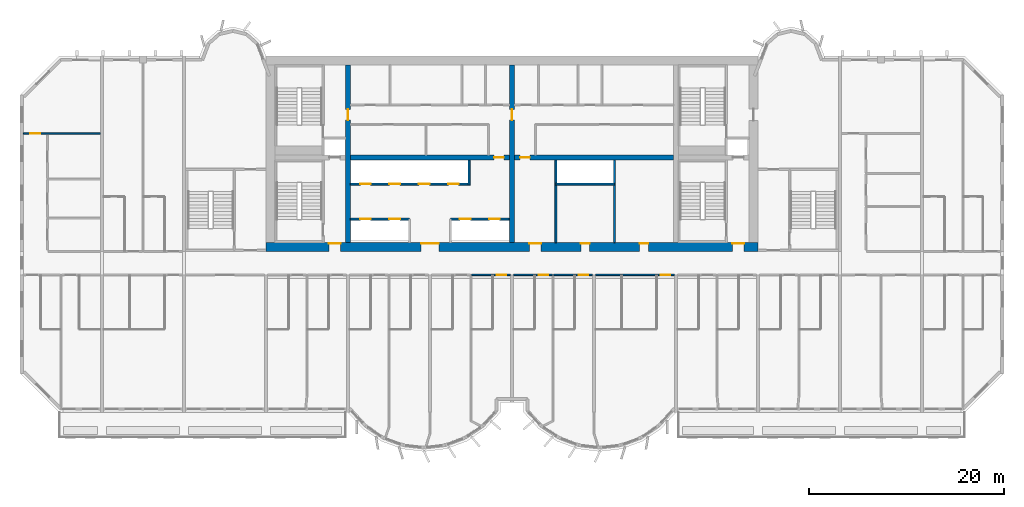
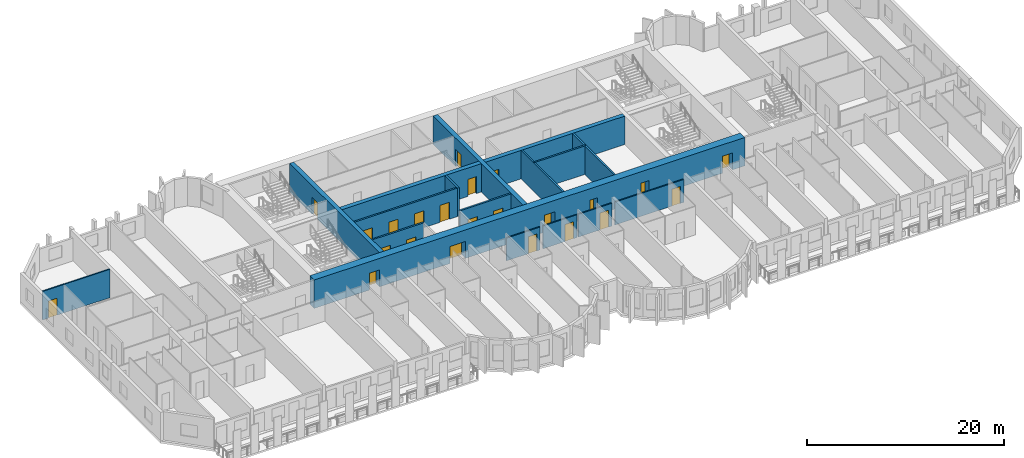
# One storey, part 6 of 14: 23 doors, 17 walls, 23 openings.
"""IFC4 building model written with IfcOpenShell, lengths in metres."""

import ifcopenshell
import ifcopenshell.guid

model = None  # the IFC model being written
_history = None  # IfcOwnerHistory: only IFC2X3 demands one
_inside = {}  # id of a spatial element -> (the spatial element, [elements in it])
_under = {}  # id of a project, library or spatial element -> (it, [spatial elements below it])
_declared = {}  # id of a project -> (the project, [libraries it declares])
_typed = {}  # id of a type object -> (the type object, [elements of that type])
_made_of = {}  # id of a material, layer set ... -> (it, [elements and type objects made of it])


def new_model(schema):
    """Start an empty IFC model of exactly this schema.

    Asked for "IFC4X3", IfcOpenShell would pick the latest addendum, in which some entities
    have other attributes; the version numbers below select the first issue.
    IFC2X3 requires an IfcOwnerHistory on every rooted entity: one is made here for all.
    """
    global model, _history
    if schema == "IFC4X3":
        model = ifcopenshell.file(schema_version=(4, 3, 0, 0))
    else:
        model = ifcopenshell.file(schema=schema)
    _inside.clear()
    _under.clear()
    _declared.clear()
    _typed.clear()
    _made_of.clear()
    _history = None
    if model.schema == "IFC2X3":
        org = make("IfcOrganization", Name="unknown")
        user = make(
            "IfcPersonAndOrganization",
            ThePerson=make("IfcPerson", FamilyName="unknown"),
            TheOrganization=org,
        )
        app = make(
            "IfcApplication",
            ApplicationDeveloper=org,
            Version="unknown",
            ApplicationFullName="unknown",
            ApplicationIdentifier="unknown",
        )
        _history = make(
            "IfcOwnerHistory",
            OwningUser=user,
            OwningApplication=app,
            ChangeAction="ADDED",
            CreationDate=0,
        )
    return model


def make(cls, **values):
    """One entity of the class cls with the attributes given. An attribute that is None is left unset."""
    return model.create_entity(
        cls, **{name: value for name, value in values.items() if value is not None}
    )


def rooted(cls, **values):
    """An entity with a GlobalId (a new one), such as an element, a storey or a relation."""
    return make(cls, GlobalId=ifcopenshell.guid.new(), OwnerHistory=_history, **values)


def si_unit(unit_type, name, prefix=None):
    """IfcSIUnit, for example si_unit("LENGTHUNIT", "METRE", prefix="MILLI")."""
    return make("IfcSIUnit", UnitType=unit_type, Prefix=prefix, Name=name)


def assignment(units):
    """IfcUnitAssignment: the units of a project."""
    return None if units is None else make("IfcUnitAssignment", Units=units)


def point(xyz):
    """IfcCartesianPoint."""
    return None if xyz is None else make("IfcCartesianPoint", Coordinates=xyz)


def direction(xyz):
    """IfcDirection."""
    return None if xyz is None else make("IfcDirection", DirectionRatios=xyz)


def frame(location, z_axis=None, x_axis=None):
    """IfcAxis2Placement3D, a coordinate frame: its origin and axes. An axis left out is left unset."""
    return make(
        "IfcAxis2Placement3D",
        Location=point(location),
        Axis=direction(z_axis),
        RefDirection=direction(x_axis),
    )


def frame_2d(location, x_axis=None):
    """IfcAxis2Placement2D, a coordinate frame in the plane: its origin and x axis."""
    return make(
        "IfcAxis2Placement2D", Location=point(location), RefDirection=direction(x_axis)
    )


def origin():
    """The frame at (0, 0, 0) with its axes left unset."""
    return frame((0.0, 0.0, 0.0))


def place(relative_to, where):
    """IfcLocalPlacement: puts the frame where relative to a parent placement (None: the world)."""
    return make(
        "IfcLocalPlacement", PlacementRelTo=relative_to, RelativePlacement=where
    )


def context(
    kind, dimensions, precision=None, world=None, true_north=None, identifier=None
):
    """IfcGeometricRepresentationContext, for example the 3D "Model" context."""
    return make(
        "IfcGeometricRepresentationContext",
        ContextIdentifier=identifier,
        ContextType=kind,
        CoordinateSpaceDimension=dimensions,
        Precision=precision,
        WorldCoordinateSystem=world,
        TrueNorth=true_north,
    )


def subcontext(parent, identifier, kind, view, scale=None):
    """IfcGeometricRepresentationSubContext, for example "Body" below "Model"."""
    return make(
        "IfcGeometricRepresentationSubContext",
        ContextIdentifier=identifier,
        ContextType=kind,
        ParentContext=parent,
        TargetScale=scale,
        TargetView=view,
    )


def project(units=None, contexts=None):
    """IfcProject with its units and contexts."""
    return rooted(
        "IfcProject",
        Name="project",
        RepresentationContexts=contexts,
        UnitsInContext=assignment(units),
    )


def spatial(cls, under=None, at=None, **own):
    """A site, building, storey or space (cls), placed at a placement, below another one or the project."""
    s = rooted(cls, ObjectPlacement=at, **own)
    if under is not None:
        _under.setdefault(under.id(), (under, []))[1].append(s)
    return s


def profile(cls, at=None, kind="AREA", **sizes):
    """A parametric profile (cls). Its sizes go by their IFC names, for example OverallWidth=200.0."""
    return make(cls, ProfileType=kind, Position=at, **sizes)


def rectangle(**sizes):
    """IfcRectangleProfileDef."""
    return profile("IfcRectangleProfileDef", **sizes)


def extrude(swept, where, along, depth):
    """IfcExtrudedAreaSolid: the profile swept, set in the frame where, extruded along a direction by depth."""
    return make(
        "IfcExtrudedAreaSolid",
        SweptArea=swept,
        Position=where,
        ExtrudedDirection=direction(along),
        Depth=depth,
    )


def shape(context_of_items, identifier, shape_type, items):
    """IfcShapeRepresentation: the items that make up one representation, for example the "Body"."""
    return make(
        "IfcShapeRepresentation",
        ContextOfItems=context_of_items,
        RepresentationIdentifier=identifier,
        RepresentationType=shape_type,
        Items=items,
    )


def source(mapping_origin, context_of_items, identifier, shape_type, items):
    """IfcRepresentationMap: a shape defined once, which mapped items show again and again."""
    return make(
        "IfcRepresentationMap",
        MappingOrigin=mapping_origin,
        MappedRepresentation=shape(context_of_items, identifier, shape_type, items),
    )


def transform(
    local_origin,
    x_axis=None,
    y_axis=None,
    z_axis=None,
    scale=None,
    scale2=None,
    scale3=None,
    uniform=True,
):
    """IfcCartesianTransformationOperator3D, or its non-uniform kind. x_axis, y_axis, z_axis: its Axis1, 2, 3."""
    if uniform:
        return make(
            "IfcCartesianTransformationOperator3D",
            Axis1=direction(x_axis),
            Axis2=direction(y_axis),
            LocalOrigin=point(local_origin),
            Scale=scale,
            Axis3=direction(z_axis),
        )
    return make(
        "IfcCartesianTransformationOperator3DnonUniform",
        Axis1=direction(x_axis),
        Axis2=direction(y_axis),
        LocalOrigin=point(local_origin),
        Scale=scale,
        Axis3=direction(z_axis),
        Scale2=scale2,
        Scale3=scale3,
    )


def mapped(mapping_source, mapping_target):
    """IfcMappedItem: shows the shape of a source again, moved by a transform."""
    return make(
        "IfcMappedItem", MappingSource=mapping_source, MappingTarget=mapping_target
    )


def material(Name=None, Category=None):
    """IfcMaterial."""
    return make("IfcMaterial", Name=Name, Category=Category)


def layer(
    of_material, thickness, ventilated=None, Name=None, Category=None, Priority=None
):
    """IfcMaterialLayer: one layer of a wall or slab, of a material (None: an air gap)."""
    return make(
        "IfcMaterialLayer",
        Material=of_material,
        LayerThickness=thickness,
        IsVentilated=ventilated,
        Name=Name,
        Category=Category,
        Priority=Priority,
    )


def layer_set(layers, Name=None):
    """IfcMaterialLayerSet."""
    return make("IfcMaterialLayerSet", MaterialLayers=layers, LayerSetName=Name)


def made_of(thing, what):
    """Note that an element or type object is made of a material, layer set ...; save() writes the relation."""
    if what is not None:
        _made_of.setdefault(what.id(), (what, []))[1].append(thing)
    return thing


def type_object(cls, material=None, **own):
    """A type object (cls), such as IfcWallType, which elements share."""
    return made_of(rooted(cls, **own), material)


def element(
    cls,
    number,
    at=None,
    inside=None,
    cuts=None,
    type_object=None,
    material=None,
    context=None,
    identifier="Body",
    shape_type=None,
    held_by="IfcProductDefinitionShape",
    body=None,
    shapes=None,
    **own,
):
    """One element of the class cls, such as IfcWall. Its Tag is "e" and its number.

    at: its placement. inside: the storey or other place that contains it. cuts: it is an
    opening in that element (IfcRelVoidsElement). A single representation is given by context,
    identifier, shape_type and body (its items); several are given by shapes. held_by: the class
    of the entity that holds the representations. save() writes the other relations.
    """
    e = rooted(cls, Tag="e%d" % number, ObjectPlacement=at, **own)
    if body is not None:
        shapes = [shape(context, identifier, shape_type, body)]
    if shapes is not None:
        e.Representation = make(held_by, Representations=shapes)
    if inside is not None:
        _inside.setdefault(inside.id(), (inside, []))[1].append(e)
    if cuts is not None:
        rooted(
            "IfcRelVoidsElement", RelatingBuildingElement=cuts, RelatedOpeningElement=e
        )
    if type_object is not None:
        _typed.setdefault(type_object.id(), (type_object, []))[1].append(e)
    return made_of(e, material)


def fill(opening, filler):
    """IfcRelFillsElement: the door or window that sits in an opening."""
    return rooted(
        "IfcRelFillsElement",
        RelatingOpeningElement=opening,
        RelatedBuildingElement=filler,
    )


def aggregate(whole, parts):
    """IfcRelAggregates: a whole, such as a stair, and the parts it consists of."""
    return rooted("IfcRelAggregates", RelatingObject=whole, RelatedObjects=parts)


def save(model, path):
    """Write the relations noted so far, then the file.

    IfcRelAggregates (storeys below a building ...), IfcRelContainedInSpatialStructure (elements
    in a storey), IfcRelDefinesByType, IfcRelAssociatesMaterial and IfcRelDeclares: one each for
    every whole, place, type object, material and project.
    """
    for whole, parts in _under.values():
        aggregate(whole, parts)
    for where, things in _inside.values():
        rooted(
            "IfcRelContainedInSpatialStructure",
            RelatedElements=things,
            RelatingStructure=where,
        )
    for kind, things in _typed.values():
        rooted("IfcRelDefinesByType", RelatedObjects=things, RelatingType=kind)
    for what, things in _made_of.values():
        rooted("IfcRelAssociatesMaterial", RelatedObjects=things, RelatingMaterial=what)
    for by, libraries in _declared.values():
        rooted("IfcRelDeclares", RelatingContext=by, RelatedDefinitions=libraries)
    model.write(path)


model = new_model("IFC4")

# Units and contexts
model_context = context("Model", 3, precision=1e-05, world=origin(), true_north=direction((0.0, 1.0)))
body_context = subcontext(model_context, "Body", "Model", "MODEL_VIEW")
ifc_project = project(units=[si_unit("LENGTHUNIT", "METRE"), si_unit("AREAUNIT", "SQUARE_METRE"), si_unit("VOLUMEUNIT", "CUBIC_METRE"), si_unit("PLANEANGLEUNIT", "RADIAN"), si_unit("MASSUNIT", "GRAM", prefix="KILO")], contexts=[model_context])

# Site, building, storey
site_placement = place(None, origin())
site = spatial("IfcSite", under=ifc_project, at=site_placement, CompositionType="ELEMENT")
building_placement = place(site_placement, origin())
building = spatial("IfcBuilding", under=site, at=building_placement, Name="Vanashikhar Sky Hotel", CompositionType="ELEMENT")
storey_placement = place(building_placement, frame((0.0, 0.0, 99.0)))
storey = spatial("IfcBuildingStorey", under=building, at=storey_placement, Name="L23", CompositionType="ELEMENT", Elevation=99.0)

# Wall, openings, doors
ifc_material_1 = material(Name="Concrete M70", Category="concrete")
ifc_layer_1 = layer(ifc_material_1, 0.89990234375)
ifc_layer_set_1 = layer_set([ifc_layer_1], Name="RC core shell wall 900 Concrete M70")
wall_type_1 = type_object("IfcWallType", Name="RC core shell wall 900 Concrete M70", PredefinedType="SHEAR", material=ifc_layer_set_1)
shared_shape_1 = source(origin(), body_context, "Body", "SweptSolid", [
    extrude(rectangle(XDim=50.400146484375, YDim=0.89990234375, at=frame_2d((25.2001953125, 0.0))), origin(), (0.0, 0.0, 1.0), 3.52001953125),
])
wall_1_placement = place(storey_placement, frame((25.199951171875, 22.449951171875, 0.0), z_axis=(0.0, 0.0, 1.0), x_axis=(1.0, 0.0, 0.0)))
wall_1 = element("IfcWall", 1, at=wall_1_placement, inside=storey, type_object=wall_type_1, Name="KW-L23-KS", PredefinedType="SHEAR", context=body_context, shape_type="MappedRepresentation", body=[
    mapped(shared_shape_1, transform((0.0, 0.0, 0.0), scale=1.0)),
])
shared_shape_2 = source(origin(), body_context, "Body", "SweptSolid", [
    extrude(rectangle(XDim=1.800048828125, YDim=2.10009765625, at=frame_2d((0.89990234375, 1.050048828125))), frame((0.0, 0.4599609375, 0.0), z_axis=(0.0, -1.0, 0.0), x_axis=(1.0, 0.0, 0.0)), (0.0, 0.0, 1.0), 0.919921875),
])
opening_1_placement = place(wall_1_placement, frame((15.89990234375, 0.0, 0.0)))
opening_1 = element("IfcOpeningElement", 2, at=opening_1_placement, cuts=wall_1, Name="Opening DC-3-A", PredefinedType="OPENING", context=body_context, shape_type="MappedRepresentation", body=[
    mapped(shared_shape_2, transform((0.0, 0.0, 0.0), scale=1.0)),
])
shared_shape_3 = source(origin(), body_context, "Body", "SweptSolid", [
    extrude(rectangle(XDim=1.199951171875, YDim=2.10009765625, at=frame_2d((0.60009765625, 1.050048828125))), frame((0.0, 0.4599609375, 0.0), z_axis=(0.0, -1.0, 0.0), x_axis=(1.0, 0.0, 0.0)), (0.0, 0.0, 1.0), 0.919921875),
])
opening_2_placement = place(wall_1_placement, frame((26.97509765625, 0.0, 0.0)))
opening_2 = element("IfcOpeningElement", 3, at=opening_2_placement, cuts=wall_1, Name="Opening DC-4-B", PredefinedType="OPENING", context=body_context, shape_type="MappedRepresentation", body=[
    mapped(shared_shape_3, transform((0.0, 0.0, 0.0), scale=1.0)),
])
shared_shape_4 = source(origin(), body_context, "Body", "SweptSolid", [
    extrude(rectangle(XDim=0.89990234375, YDim=2.10009765625, at=frame_2d((0.449951171875, 1.050048828125))), frame((0.0, 0.4599609375, 0.0), z_axis=(0.0, -1.0, 0.0), x_axis=(1.0, 0.0, 0.0)), (0.0, 0.0, 1.0), 0.919921875),
])
opening_3_placement = place(wall_1_placement, frame((32.25, 0.0, 0.0)))
opening_3 = element("IfcOpeningElement", 4, at=opening_3_placement, cuts=wall_1, Name="Opening DC-4-A", PredefinedType="OPENING", context=body_context, shape_type="MappedRepresentation", body=[
    mapped(shared_shape_4, transform((0.0, 0.0, 0.0), scale=1.0)),
])
opening_4_placement = place(wall_1_placement, frame((38.27490234375, 0.0, 0.0)))
opening_4 = element("IfcOpeningElement", 5, at=opening_4_placement, cuts=wall_1, Name="Opening DC-4-A", PredefinedType="OPENING", context=body_context, shape_type="MappedRepresentation", body=[
    mapped(shared_shape_4, transform((0.0, 0.0, 0.0), scale=1.0)),
])
opening_5_placement = place(wall_1_placement, frame((6.449951171875, 0.0, 0.0)))
opening_5 = element("IfcOpeningElement", 6, at=opening_5_placement, cuts=wall_1, Name="Opening DC-2", PredefinedType="OPENING", context=body_context, shape_type="MappedRepresentation", body=[
    mapped(shared_shape_3, transform((0.0, 0.0, 0.0), scale=1.0)),
])
opening_6_placement = place(wall_1_placement, frame((47.77490234375, 0.0, 0.0)))
opening_6 = element("IfcOpeningElement", 7, at=opening_6_placement, cuts=wall_1, Name="Opening DC-2", PredefinedType="OPENING", context=body_context, shape_type="MappedRepresentation", body=[
    mapped(shared_shape_3, transform((0.0, 0.0, 0.0), scale=1.0)),
])
ifc_material_2 = material(Name="Glass", Category="glass")
door_type_1 = type_object("IfcDoorType", Name="Lift lobby entrance door 1800 FD30S", OperationType="NOTDEFINED", PredefinedType="DOOR", material=ifc_material_2)
shared_shape_5 = source(origin(), body_context, "Body", "SweptSolid", [
    extrude(rectangle(XDim=1.800048828125, YDim=2.10009765625, at=frame_2d((0.89990234375, 1.050048828125))), frame((0.0, 0.375, 0.0), z_axis=(0.0, -1.0, 0.0), x_axis=(1.0, 0.0, 0.0)), (0.0, 0.0, 1.0), 0.050048828125),
])
door_1_placement = place(opening_1_placement, origin())
door_1 = element("IfcDoor", 8, at=door_1_placement, inside=storey, type_object=door_type_1, Name="Lift lobby entrance door 1800 FD30S", OperationType="DOUBLE_DOOR_SINGLE_SWING", OverallHeight=2.10009765625, OverallWidth=1.800048828125, PredefinedType="DOOR", context=body_context, shape_type="MappedRepresentation", body=[
    mapped(shared_shape_5, transform((0.0, 0.0, 0.0), scale=1.0)),
])
fill(opening_1, door_1)
ifc_material_3 = material(Name="Steel", Category="steel")
door_type_2 = type_object("IfcDoorType", Name="Service door 1200 FD60", OperationType="NOTDEFINED", PredefinedType="DOOR", material=ifc_material_3)
shared_shape_6 = source(origin(), body_context, "Body", "SweptSolid", [
    extrude(rectangle(XDim=1.199951171875, YDim=2.10009765625, at=frame_2d((0.60009765625, 1.050048828125))), frame((0.0, 0.375, 0.0), z_axis=(0.0, -1.0, 0.0), x_axis=(1.0, 0.0, 0.0)), (0.0, 0.0, 1.0), 0.050048828125),
])
door_2_placement = place(opening_2_placement, origin())
door_2 = element("IfcDoor", 9, at=door_2_placement, inside=storey, type_object=door_type_2, Name="Service door 1200 FD60", OperationType="SINGLE_SWING_LEFT", OverallHeight=2.10009765625, OverallWidth=1.199951171875, PredefinedType="DOOR", context=body_context, shape_type="MappedRepresentation", body=[
    mapped(shared_shape_6, transform((0.0, 0.0, 0.0), scale=1.0)),
])
fill(opening_2, door_2)
door_type_3 = type_object("IfcDoorType", Name="Firefighting lobby door 1200 FD120", OperationType="NOTDEFINED", PredefinedType="DOOR", material=ifc_material_3)
door_3_placement = place(opening_5_placement, origin())
door_3 = element("IfcDoor", 10, at=door_3_placement, inside=storey, type_object=door_type_3, Name="Firefighting lobby door 1200 FD120", OperationType="SINGLE_SWING_LEFT", OverallHeight=2.10009765625, OverallWidth=1.199951171875, PredefinedType="DOOR", context=body_context, shape_type="MappedRepresentation", body=[
    mapped(shared_shape_6, transform((0.0, 0.0, 0.0), scale=1.0)),
])
fill(opening_5, door_3)
door_4_placement = place(opening_6_placement, origin())
door_4 = element("IfcDoor", 11, at=door_4_placement, inside=storey, type_object=door_type_3, Name="Firefighting lobby door 1200 FD120", OperationType="SINGLE_SWING_LEFT", OverallHeight=2.10009765625, OverallWidth=1.199951171875, PredefinedType="DOOR", context=body_context, shape_type="MappedRepresentation", body=[
    mapped(shared_shape_6, transform((0.0, 0.0, 0.0), scale=1.0)),
])
fill(opening_6, door_4)
door_type_4 = type_object("IfcDoorType", Name="Service door 900 FD60", OperationType="NOTDEFINED", PredefinedType="DOOR", material=ifc_material_3)
shared_shape_7 = source(origin(), body_context, "Body", "SweptSolid", [
    extrude(rectangle(XDim=0.89990234375, YDim=2.10009765625, at=frame_2d((0.449951171875, 1.050048828125))), frame((0.0, 0.375, 0.0), z_axis=(0.0, -1.0, 0.0), x_axis=(1.0, 0.0, 0.0)), (0.0, 0.0, 1.0), 0.050048828125),
])
door_5_placement = place(opening_3_placement, origin())
door_5 = element("IfcDoor", 12, at=door_5_placement, inside=storey, type_object=door_type_4, Name="Service door 900 FD60", OperationType="SINGLE_SWING_RIGHT", OverallHeight=2.10009765625, OverallWidth=0.89990234375, PredefinedType="DOOR", context=body_context, shape_type="MappedRepresentation", body=[
    mapped(shared_shape_7, transform((0.0, 0.0, 0.0), scale=1.0)),
])
fill(opening_3, door_5)
door_6_placement = place(opening_4_placement, origin())
door_6 = element("IfcDoor", 13, at=door_6_placement, inside=storey, type_object=door_type_4, Name="Service door 900 FD60", OperationType="SINGLE_SWING_LEFT", OverallHeight=2.10009765625, OverallWidth=0.89990234375, PredefinedType="DOOR", context=body_context, shape_type="MappedRepresentation", body=[
    mapped(shared_shape_7, transform((0.0, 0.0, 0.0), scale=1.0)),
])
fill(opening_4, door_6)

# Wall, opening, door
ifc_layer_2 = layer(ifc_material_1, 0.5)
ifc_layer_set_2 = layer_set([ifc_layer_2], Name="RC core inner wall 500 Concrete M70")
wall_type_2 = type_object("IfcWallType", Name="RC core inner wall 500 Concrete M70", PredefinedType="SHEAR", material=ifc_layer_set_2)
shared_shape_8 = source(origin(), body_context, "Body", "SweptSolid", [
    extrude(rectangle(XDim=18.2001953125, YDim=0.5, at=frame_2d((9.10009765625, 0.0))), origin(), (0.0, 0.0, 1.0), 3.52001953125),
])
wall_2_placement = place(storey_placement, frame((33.60009765625, 22.89990234375, 0.0), z_axis=(0.0, 0.0, 1.0), x_axis=(0.0, 1.0, 0.0)))
wall_2 = element("IfcWall", 14, at=wall_2_placement, inside=storey, type_object=wall_type_2, Name="KW-L23-KX1", PredefinedType="SHEAR", context=body_context, shape_type="MappedRepresentation", body=[
    mapped(shared_shape_8, transform((0.0, 0.0, 0.0), scale=1.0)),
])
shared_shape_9 = source(origin(), body_context, "Body", "SweptSolid", [
    extrude(rectangle(XDim=1.10009765625, YDim=2.10009765625, at=frame_2d((0.550048828125, 1.050048828125))), frame((0.0, 0.260009765625, 0.0), z_axis=(0.0, -1.0, 0.0), x_axis=(1.0, 0.0, 0.0)), (0.0, 0.0, 1.0), 0.52001953125),
])
opening_7_placement = place(wall_2_placement, frame((12.550048828125, 0.0, 0.0)))
opening_7 = element("IfcOpeningElement", 15, at=opening_7_placement, cuts=wall_2, Name="Opening DC-4-C", PredefinedType="OPENING", context=body_context, shape_type="MappedRepresentation", body=[
    mapped(shared_shape_9, transform((0.0, 0.0, 0.0), scale=1.0)),
])
door_type_5 = type_object("IfcDoorType", Name="Service door 1100 FD60", OperationType="NOTDEFINED", PredefinedType="DOOR", material=ifc_material_3)
shared_shape_10 = source(origin(), body_context, "Body", "SweptSolid", [
    extrude(rectangle(XDim=1.10009765625, YDim=2.10009765625, at=frame_2d((0.550048828125, 1.050048828125))), frame((0.0, 0.02490234375, 0.0), z_axis=(0.0, -1.0, 0.0), x_axis=(1.0, 0.0, 0.0)), (0.0, 0.0, 1.0), 0.050048828125),
])
door_7_placement = place(opening_7_placement, origin())
door_7 = element("IfcDoor", 16, at=door_7_placement, inside=storey, type_object=door_type_5, Name="Service door 1100 FD60", OperationType="SINGLE_SWING_LEFT", OverallHeight=2.10009765625, OverallWidth=1.10009765625, PredefinedType="DOOR", context=body_context, shape_type="MappedRepresentation", body=[
    mapped(shared_shape_10, transform((0.0, 0.0, 0.0), scale=1.0)),
])
fill(opening_7, door_7)

wall_3_placement = place(storey_placement, frame((50.39990234375, 22.89990234375, 0.0), z_axis=(0.0, 0.0, 1.0), x_axis=(0.0, 1.0, 0.0)))
wall_3 = element("IfcWall", 17, at=wall_3_placement, inside=storey, type_object=wall_type_2, Name="KW-L23-KX2", PredefinedType="SHEAR", context=body_context, shape_type="MappedRepresentation", body=[
    mapped(shared_shape_8, transform((0.0, 0.0, 0.0), scale=1.0)),
])
opening_8_placement = place(wall_3_placement, frame((12.550048828125, 0.0, 0.0)))
opening_8 = element("IfcOpeningElement", 18, at=opening_8_placement, cuts=wall_3, Name="Opening DC-4-C", PredefinedType="OPENING", context=body_context, shape_type="MappedRepresentation", body=[
    mapped(shared_shape_9, transform((0.0, 0.0, 0.0), scale=1.0)),
])
door_8_placement = place(opening_8_placement, origin())
door_8 = element("IfcDoor", 19, at=door_8_placement, inside=storey, type_object=door_type_5, Name="Service door 1100 FD60", OperationType="SINGLE_SWING_RIGHT", OverallHeight=2.10009765625, OverallWidth=1.10009765625, PredefinedType="DOOR", context=body_context, shape_type="MappedRepresentation", body=[
    mapped(shared_shape_10, transform((0.0, 0.0, 0.0), scale=1.0)),
])
fill(opening_8, door_8)

shared_shape_11 = source(origin(), body_context, "Body", "SweptSolid", [
    extrude(rectangle(XDim=16.2998046875, YDim=0.5, at=frame_2d((8.14990234375, 0.0))), origin(), (0.0, 0.0, 1.0), 3.52001953125),
])
wall_4_placement = place(storey_placement, frame((33.85009765625, 31.60009765625, 0.0), z_axis=(0.0, 0.0, 1.0), x_axis=(1.0, 0.0, 0.0)))
wall_4 = element("IfcWall", 20, at=wall_4_placement, inside=storey, type_object=wall_type_2, Name="KW-L23-KY2", PredefinedType="SHEAR", context=body_context, shape_type="MappedRepresentation", body=[
    mapped(shared_shape_11, transform((0.0, 0.0, 0.0), scale=1.0)),
])
shared_shape_12 = source(origin(), body_context, "Body", "SweptSolid", [
    extrude(rectangle(XDim=1.0, YDim=2.10009765625, at=frame_2d((0.5, 1.050048828125))), frame((0.0, 0.260009765625, 0.0), z_axis=(0.0, -1.0, 0.0), x_axis=(1.0, 0.0, 0.0)), (0.0, 0.0, 1.0), 0.52001953125),
])
opening_9_placement = place(wall_4_placement, frame((14.72509765625, 0.0, 0.0)))
opening_9 = element("IfcOpeningElement", 21, at=opening_9_placement, cuts=wall_4, Name="Opening DC-4", PredefinedType="OPENING", context=body_context, shape_type="MappedRepresentation", body=[
    mapped(shared_shape_12, transform((0.0, 0.0, 0.0), scale=1.0)),
])
door_type_6 = type_object("IfcDoorType", Name="Service door 1000 FD60", OperationType="NOTDEFINED", PredefinedType="DOOR", material=ifc_material_3)
shared_shape_13 = source(origin(), body_context, "Body", "SweptSolid", [
    extrude(rectangle(XDim=1.0, YDim=2.10009765625, at=frame_2d((0.5, 1.050048828125))), frame((0.0, 0.02490234375, 0.0), z_axis=(0.0, -1.0, 0.0), x_axis=(1.0, 0.0, 0.0)), (0.0, 0.0, 1.0), 0.050048828125),
])
door_9_placement = place(opening_9_placement, origin())
door_9 = element("IfcDoor", 22, at=door_9_placement, inside=storey, type_object=door_type_6, Name="Service door 1000 FD60", OperationType="SINGLE_SWING_LEFT", OverallHeight=2.10009765625, OverallWidth=1.0, PredefinedType="DOOR", context=body_context, shape_type="MappedRepresentation", body=[
    mapped(shared_shape_13, transform((0.0, 0.0, 0.0), scale=1.0)),
])
fill(opening_9, door_9)

shared_shape_14 = source(origin(), body_context, "Body", "SweptSolid", [
    extrude(rectangle(XDim=16.300048828125, YDim=0.5, at=frame_2d((8.14990234375, 0.0))), origin(), (0.0, 0.0, 1.0), 3.52001953125),
])
wall_5_placement = place(storey_placement, frame((50.64990234375, 31.60009765625, 0.0), z_axis=(0.0, 0.0, 1.0), x_axis=(1.0, 0.0, 0.0)))
wall_5 = element("IfcWall", 23, at=wall_5_placement, inside=storey, type_object=wall_type_2, Name="KW-L23-KY3", PredefinedType="SHEAR", context=body_context, shape_type="MappedRepresentation", body=[
    mapped(shared_shape_14, transform((0.0, 0.0, 0.0), scale=1.0)),
])
opening_10_placement = place(wall_5_placement, frame((0.574951171875, 0.0, 0.0)))
opening_10 = element("IfcOpeningElement", 24, at=opening_10_placement, cuts=wall_5, Name="Opening DC-4", PredefinedType="OPENING", context=body_context, shape_type="MappedRepresentation", body=[
    mapped(shared_shape_12, transform((0.0, 0.0, 0.0), scale=1.0)),
])
door_10_placement = place(opening_10_placement, origin())
door_10 = element("IfcDoor", 25, at=door_10_placement, inside=storey, type_object=door_type_6, Name="Service door 1000 FD60", OperationType="SINGLE_SWING_LEFT", OverallHeight=2.10009765625, OverallWidth=1.0, PredefinedType="DOOR", context=body_context, shape_type="MappedRepresentation", body=[
    mapped(shared_shape_13, transform((0.0, 0.0, 0.0), scale=1.0)),
])
fill(opening_10, door_10)

# Wall, openings, doors
ifc_material_4 = material(Name="Concrete M40", Category="concrete")
ifc_layer_3 = layer(ifc_material_4, 0.199951171875)
ifc_layer_set_3 = layer_set([ifc_layer_3], Name="Shaft wall 200")
wall_type_3 = type_object("IfcWallType", Name="Shaft wall 200", PredefinedType="SOLIDWALL", material=ifc_layer_set_3)
shared_shape_15 = source(origin(), body_context, "Body", "SweptSolid", [
    extrude(rectangle(XDim=6.0, YDim=0.199951171875, at=frame_2d((3.0, 0.0))), origin(), (0.0, 0.0, 1.0), 3.52001953125),
])
wall_6_placement = place(storey_placement, frame((44.10009765625, 25.300048828125, 0.0), z_axis=(0.0, 0.0, 1.0), x_axis=(1.0, 0.0, 0.0)))
wall_6 = element("IfcWall", 26, at=wall_6_placement, inside=storey, type_object=wall_type_3, Name="Shaft wall 200", PredefinedType="SOLIDWALL", context=body_context, shape_type="MappedRepresentation", body=[
    mapped(shared_shape_15, transform((0.0, 0.0, 0.0), scale=1.0)),
])
shared_shape_16 = source(origin(), body_context, "Body", "SweptSolid", [
    extrude(rectangle(XDim=1.10009765625, YDim=2.10009765625, at=frame_2d((0.550048828125, 1.050048828125))), frame((0.0, 0.10986328125, 0.0), z_axis=(0.0, -1.0, 0.0), x_axis=(1.0, 0.0, 0.0)), (0.0, 0.0, 1.0), 0.219970703125),
])
opening_11_placement = place(wall_6_placement, frame((0.949951171875, 0.0, 0.0)))
opening_11 = element("IfcOpeningElement", 27, at=opening_11_placement, cuts=wall_6, Name="Opening LD", PredefinedType="OPENING", context=body_context, shape_type="MappedRepresentation", body=[
    mapped(shared_shape_16, transform((0.0, 0.0, 0.0), scale=1.0)),
])
opening_12_placement = place(wall_6_placement, frame((3.949951171875, 0.0, 0.0)))
opening_12 = element("IfcOpeningElement", 28, at=opening_12_placement, cuts=wall_6, Name="Opening LD", PredefinedType="OPENING", context=body_context, shape_type="MappedRepresentation", body=[
    mapped(shared_shape_16, transform((0.0, 0.0, 0.0), scale=1.0)),
])
ifc_material_5 = material(Name="Stainless steel", Category="steel")
door_type_7 = type_object("IfcDoorType", Name="Lift landing door 1100", OperationType="NOTDEFINED", PredefinedType="DOOR", material=ifc_material_5)
door_11_placement = place(opening_11_placement, origin())
door_11 = element("IfcDoor", 29, at=door_11_placement, inside=storey, type_object=door_type_7, Name="Lift landing door 1100", OperationType="SLIDING_TO_LEFT", OverallHeight=2.10009765625, OverallWidth=1.10009765625, PredefinedType="DOOR", context=body_context, shape_type="MappedRepresentation", body=[
    mapped(shared_shape_10, transform((0.0, 0.0, 0.0), scale=1.0)),
])
fill(opening_11, door_11)
door_12_placement = place(opening_12_placement, origin())
door_12 = element("IfcDoor", 30, at=door_12_placement, inside=storey, type_object=door_type_7, Name="Lift landing door 1100", OperationType="SLIDING_TO_RIGHT", OverallHeight=2.10009765625, OverallWidth=1.10009765625, PredefinedType="DOOR", context=body_context, shape_type="MappedRepresentation", body=[
    mapped(shared_shape_10, transform((0.0, 0.0, 0.0), scale=1.0)),
])
fill(opening_12, door_12)

# Wall
wall_7_placement = place(storey_placement, frame((60.89990234375, 28.89990234375, 0.0), z_axis=(0.0, 0.0, 1.0), x_axis=(-1.0, 0.0, 0.0)))
element("IfcWall", 31, at=wall_7_placement, inside=storey, type_object=wall_type_3, Name="Shaft wall 200", PredefinedType="SOLIDWALL", context=body_context, shape_type="MappedRepresentation", body=[
    mapped(shared_shape_15, transform((0.0, 0.0, 0.0), scale=1.0)),
])

# Wall, openings, doors
shared_shape_17 = source(origin(), body_context, "Body", "SweptSolid", [
    extrude(rectangle(XDim=6.0498046875, YDim=0.199951171875, at=frame_2d((3.02490234375, 0.0))), origin(), (0.0, 0.0, 1.0), 3.52001953125),
])
wall_8_placement = place(storey_placement, frame((33.85009765625, 25.300048828125, 0.0), z_axis=(0.0, 0.0, 1.0), x_axis=(1.0, 0.0, 0.0)))
wall_8 = element("IfcWall", 32, at=wall_8_placement, inside=storey, type_object=wall_type_3, Name="Shaft wall 200", PredefinedType="SOLIDWALL", context=body_context, shape_type="MappedRepresentation", body=[
    mapped(shared_shape_17, transform((0.0, 0.0, 0.0), scale=1.0)),
])
opening_13_placement = place(wall_8_placement, frame((1.0, 0.0, 0.0)))
opening_13 = element("IfcOpeningElement", 33, at=opening_13_placement, cuts=wall_8, Name="Opening LD", PredefinedType="OPENING", context=body_context, shape_type="MappedRepresentation", body=[
    mapped(shared_shape_16, transform((0.0, 0.0, 0.0), scale=1.0)),
])
opening_14_placement = place(wall_8_placement, frame((4.0, 0.0, 0.0)))
opening_14 = element("IfcOpeningElement", 34, at=opening_14_placement, cuts=wall_8, Name="Opening LD", PredefinedType="OPENING", context=body_context, shape_type="MappedRepresentation", body=[
    mapped(shared_shape_16, transform((0.0, 0.0, 0.0), scale=1.0)),
])
door_13_placement = place(opening_13_placement, origin())
door_13 = element("IfcDoor", 35, at=door_13_placement, inside=storey, type_object=door_type_7, Name="Lift landing door 1100", OperationType="SLIDING_TO_LEFT", OverallHeight=2.10009765625, OverallWidth=1.10009765625, PredefinedType="DOOR", context=body_context, shape_type="MappedRepresentation", body=[
    mapped(shared_shape_10, transform((0.0, 0.0, 0.0), scale=1.0)),
])
fill(opening_13, door_13)
door_14_placement = place(opening_14_placement, origin())
door_14 = element("IfcDoor", 36, at=door_14_placement, inside=storey, type_object=door_type_7, Name="Lift landing door 1100", OperationType="SLIDING_TO_RIGHT", OverallHeight=2.10009765625, OverallWidth=1.10009765625, PredefinedType="DOOR", context=body_context, shape_type="MappedRepresentation", body=[
    mapped(shared_shape_10, transform((0.0, 0.0, 0.0), scale=1.0)),
])
fill(opening_14, door_14)

shared_shape_18 = source(origin(), body_context, "Body", "SweptSolid", [
    extrude(rectangle(XDim=12.0498046875, YDim=0.199951171875, at=frame_2d((6.02490234375, 0.0))), origin(), (0.0, 0.0, 1.0), 3.52001953125),
])
wall_9_placement = place(storey_placement, frame((33.85009765625, 28.89990234375, 0.0), z_axis=(0.0, 0.0, 1.0), x_axis=(1.0, 0.0, 0.0)))
wall_9 = element("IfcWall", 37, at=wall_9_placement, inside=storey, type_object=wall_type_3, Name="Shaft wall 200", PredefinedType="SOLIDWALL", context=body_context, shape_type="MappedRepresentation", body=[
    mapped(shared_shape_18, transform((0.0, 0.0, 0.0), scale=1.0)),
])
opening_15_placement = place(wall_9_placement, frame((1.0, 0.0, 0.0)))
opening_15 = element("IfcOpeningElement", 38, at=opening_15_placement, cuts=wall_9, Name="Opening LD", PredefinedType="OPENING", context=body_context, shape_type="MappedRepresentation", body=[
    mapped(shared_shape_16, transform((0.0, 0.0, 0.0), scale=1.0)),
])
opening_16_placement = place(wall_9_placement, frame((4.0, 0.0, 0.0)))
opening_16 = element("IfcOpeningElement", 39, at=opening_16_placement, cuts=wall_9, Name="Opening LD", PredefinedType="OPENING", context=body_context, shape_type="MappedRepresentation", body=[
    mapped(shared_shape_16, transform((0.0, 0.0, 0.0), scale=1.0)),
])
opening_17_placement = place(wall_9_placement, frame((7.0, 0.0, 0.0)))
opening_17 = element("IfcOpeningElement", 40, at=opening_17_placement, cuts=wall_9, Name="Opening LD", PredefinedType="OPENING", context=body_context, shape_type="MappedRepresentation", body=[
    mapped(shared_shape_16, transform((0.0, 0.0, 0.0), scale=1.0)),
])
opening_18_placement = place(wall_9_placement, frame((10.0, 0.0, 0.0)))
opening_18 = element("IfcOpeningElement", 41, at=opening_18_placement, cuts=wall_9, Name="Opening LD", PredefinedType="OPENING", context=body_context, shape_type="MappedRepresentation", body=[
    mapped(shared_shape_16, transform((0.0, 0.0, 0.0), scale=1.0)),
])
door_15_placement = place(opening_15_placement, origin())
door_15 = element("IfcDoor", 42, at=door_15_placement, inside=storey, type_object=door_type_7, Name="Lift landing door 1100", OperationType="SLIDING_TO_LEFT", OverallHeight=2.10009765625, OverallWidth=1.10009765625, PredefinedType="DOOR", context=body_context, shape_type="MappedRepresentation", body=[
    mapped(shared_shape_10, transform((0.0, 0.0, 0.0), scale=1.0)),
])
fill(opening_15, door_15)
door_16_placement = place(opening_16_placement, origin())
door_16 = element("IfcDoor", 43, at=door_16_placement, inside=storey, type_object=door_type_7, Name="Lift landing door 1100", OperationType="SLIDING_TO_RIGHT", OverallHeight=2.10009765625, OverallWidth=1.10009765625, PredefinedType="DOOR", context=body_context, shape_type="MappedRepresentation", body=[
    mapped(shared_shape_10, transform((0.0, 0.0, 0.0), scale=1.0)),
])
fill(opening_16, door_16)
door_17_placement = place(opening_17_placement, origin())
door_17 = element("IfcDoor", 44, at=door_17_placement, inside=storey, type_object=door_type_7, Name="Lift landing door 1100", OperationType="SLIDING_TO_LEFT", OverallHeight=2.10009765625, OverallWidth=1.10009765625, PredefinedType="DOOR", context=body_context, shape_type="MappedRepresentation", body=[
    mapped(shared_shape_10, transform((0.0, 0.0, 0.0), scale=1.0)),
])
fill(opening_17, door_17)
door_18_placement = place(opening_18_placement, origin())
door_18 = element("IfcDoor", 45, at=door_18_placement, inside=storey, type_object=door_type_7, Name="Lift landing door 1100", OperationType="SLIDING_TO_RIGHT", OverallHeight=2.10009765625, OverallWidth=1.10009765625, PredefinedType="DOOR", context=body_context, shape_type="MappedRepresentation", body=[
    mapped(shared_shape_10, transform((0.0, 0.0, 0.0), scale=1.0)),
])
fill(opening_18, door_18)

# Walls
shared_shape_19 = source(origin(), body_context, "Body", "SweptSolid", [
    extrude(rectangle(XDim=2.550048828125, YDim=0.199951171875, at=frame_2d((1.27490234375, 0.0))), origin(), (0.0, 0.0, 1.0), 3.52001953125),
])
wall_10_placement = place(storey_placement, frame((46.0, 28.800048828125, 0.0), z_axis=(0.0, 0.0, 1.0), x_axis=(0.0, 1.0, 0.0)))
element("IfcWall", 46, at=wall_10_placement, inside=storey, type_object=wall_type_3, Name="Shaft wall 200", PredefinedType="SOLIDWALL", context=body_context, shape_type="MappedRepresentation", body=[
    mapped(shared_shape_19, transform((0.0, 0.0, 0.0), scale=1.0)),
])
ifc_material_6 = material(Name="Gypsum board partition")
ifc_layer_4 = layer(ifc_material_6, 0.14990234375)
ifc_layer_set_4 = layer_set([ifc_layer_4], Name="Service partition 150")
wall_type_4 = type_object("IfcWallType", Name="Service partition 150", PredefinedType="PARTITIONING", material=ifc_layer_set_4)
shared_shape_20 = source(origin(), body_context, "Body", "SweptSolid", [
    extrude(rectangle(XDim=8.4501953125, YDim=0.199951171875, at=frame_2d((4.22509765625, 0.0))), origin(), (0.0, 0.0, 1.0), 3.52001953125),
])
for number, where, z_axis, x_axis, name in (
    (47, (54.89990234375, 22.89990234375, 0.0), (0.0, 0.0, 1.0), (0.0, 1.0, 0.0), "Service partition 150"),
    (48, (60.89990234375, 22.89990234375, 0.0), (0.0, 0.0, 1.0), (0.0, 1.0, 0.0), "Service partition 150"),
):
    element("IfcWall", number, at=place(storey_placement, frame(where, z_axis=z_axis, x_axis=x_axis)), inside=storey, type_object=wall_type_4, Name=name, PredefinedType="PARTITIONING", context=body_context, shape_type="MappedRepresentation", body=[
        mapped(shared_shape_20, transform((0.0, 0.0, 0.0), scale=1.0)),
    ])

# Wall, opening, door
ifc_material_7 = material(Name="Gypsum plasterboard partition")
ifc_layer_5 = layer(ifc_material_7, 0.14990234375)
ifc_layer_set_5 = layer_set([ifc_layer_5], Name="Corridor and demising partition 150")
wall_type_5 = type_object("IfcWallType", Name="Corridor and demising partition 150", PredefinedType="PARTITIONING", material=ifc_layer_set_5)
shared_shape_21 = source(origin(), body_context, "Body", "SweptSolid", [
    extrude(rectangle(XDim=3.9501953125, YDim=0.14990234375, at=frame_2d((1.97509765625, 0.0))), origin(), (0.0, 0.0, 1.0), 2.820068359375),
])
wall_11_placement = place(storey_placement, frame((46.27490234375, 19.60009765625, 0.0), z_axis=(0.0, 0.0, 1.0), x_axis=(1.0, 0.0, 0.0)))
wall_11 = element("IfcWall", 49, at=wall_11_placement, inside=storey, type_object=wall_type_5, Name="W-L23-PW033", PredefinedType="PARTITIONING", context=body_context, shape_type="MappedRepresentation", body=[
    mapped(shared_shape_21, transform((0.0, 0.0, 0.0), scale=1.0)),
])
shared_shape_22 = source(origin(), body_context, "Body", "SweptSolid", [
    extrude(rectangle(XDim=1.0, YDim=2.10009765625, at=frame_2d((0.5, 1.050048828125))), frame((0.0, 0.0849609375, 0.0), z_axis=(0.0, -1.0, 0.0), x_axis=(1.0, 0.0, 0.0)), (0.0, 0.0, 1.0), 0.169921875),
])
opening_19_placement = place(wall_11_placement, frame((2.550048828125, 0.0, 0.0)))
opening_19 = element("IfcOpeningElement", 50, at=opening_19_placement, cuts=wall_11, Name="Opening D-01", PredefinedType="OPENING", context=body_context, shape_type="MappedRepresentation", body=[
    mapped(shared_shape_22, transform((0.0, 0.0, 0.0), scale=1.0)),
])
ifc_material_8 = material(Name="Timber fire door", Category="wood")
door_type_8 = type_object("IfcDoorType", Name="Guest entry door 1000 FD30S", OperationType="NOTDEFINED", PredefinedType="DOOR", material=ifc_material_8)
door_19_placement = place(opening_19_placement, origin())
door_19 = element("IfcDoor", 51, at=door_19_placement, inside=storey, type_object=door_type_8, Name="D-L23-020", OperationType="SINGLE_SWING_RIGHT", OverallHeight=2.10009765625, OverallWidth=1.0, PredefinedType="DOOR", context=body_context, shape_type="MappedRepresentation", body=[
    mapped(shared_shape_13, transform((0.0, 0.0, 0.0), scale=1.0)),
])
fill(opening_19, door_19)

shared_shape_23 = source(origin(), body_context, "Body", "SweptSolid", [
    extrude(rectangle(XDim=8.0498046875, YDim=0.14990234375, at=frame_2d((4.02490234375, 0.0))), origin(), (0.0, 0.0, 1.0), 2.820068359375),
])
wall_12_placement = place(storey_placement, frame((58.97509765625, 19.60009765625, 0.0), z_axis=(0.0, 0.0, 1.0), x_axis=(1.0, 0.0, 0.0)))
wall_12 = element("IfcWall", 52, at=wall_12_placement, inside=storey, type_object=wall_type_5, Name="W-L23-PW046", PredefinedType="PARTITIONING", context=body_context, shape_type="MappedRepresentation", body=[
    mapped(shared_shape_23, transform((0.0, 0.0, 0.0), scale=1.0)),
])
opening_20_placement = place(wall_12_placement, frame((6.64990234375, 0.0, 0.0)))
opening_20 = element("IfcOpeningElement", 53, at=opening_20_placement, cuts=wall_12, Name="Opening D-01", PredefinedType="OPENING", context=body_context, shape_type="MappedRepresentation", body=[
    mapped(shared_shape_22, transform((0.0, 0.0, 0.0), scale=1.0)),
])
door_20_placement = place(opening_20_placement, origin())
door_20 = element("IfcDoor", 54, at=door_20_placement, inside=storey, type_object=door_type_8, Name="D-L23-027", OperationType="SINGLE_SWING_RIGHT", OverallHeight=2.10009765625, OverallWidth=1.0, PredefinedType="DOOR", context=body_context, shape_type="MappedRepresentation", body=[
    mapped(shared_shape_13, transform((0.0, 0.0, 0.0), scale=1.0)),
])
fill(opening_20, door_20)

shared_shape_24 = source(origin(), body_context, "Body", "SweptSolid", [
    extrude(rectangle(XDim=3.949951171875, YDim=0.14990234375, at=frame_2d((1.97509765625, 0.0))), origin(), (0.0, 0.0, 1.0), 2.820068359375),
])
wall_13_placement = place(storey_placement, frame((50.574951171875, 19.60009765625, 0.0), z_axis=(0.0, 0.0, 1.0), x_axis=(1.0, 0.0, 0.0)))
wall_13 = element("IfcWall", 55, at=wall_13_placement, inside=storey, type_object=wall_type_5, Name="W-L23-PW037", PredefinedType="PARTITIONING", context=body_context, shape_type="MappedRepresentation", body=[
    mapped(shared_shape_24, transform((0.0, 0.0, 0.0), scale=1.0)),
])
opening_21_placement = place(wall_13_placement, frame((2.550048828125, 0.0, 0.0)))
opening_21 = element("IfcOpeningElement", 56, at=opening_21_placement, cuts=wall_13, Name="Opening D-01", PredefinedType="OPENING", context=body_context, shape_type="MappedRepresentation", body=[
    mapped(shared_shape_22, transform((0.0, 0.0, 0.0), scale=1.0)),
])
door_21_placement = place(opening_21_placement, origin())
door_21 = element("IfcDoor", 57, at=door_21_placement, inside=storey, type_object=door_type_8, Name="D-L23-022", OperationType="SINGLE_SWING_RIGHT", OverallHeight=2.10009765625, OverallWidth=1.0, PredefinedType="DOOR", context=body_context, shape_type="MappedRepresentation", body=[
    mapped(shared_shape_13, transform((0.0, 0.0, 0.0), scale=1.0)),
])
fill(opening_21, door_21)

wall_14_placement = place(storey_placement, frame((54.675048828125, 19.60009765625, 0.0), z_axis=(0.0, 0.0, 1.0), x_axis=(1.0, 0.0, 0.0)))
wall_14 = element("IfcWall", 58, at=wall_14_placement, inside=storey, type_object=wall_type_5, Name="W-L23-PW040", PredefinedType="PARTITIONING", context=body_context, shape_type="MappedRepresentation", body=[
    mapped(shared_shape_24, transform((0.0, 0.0, 0.0), scale=1.0)),
])
opening_22_placement = place(wall_14_placement, frame((2.550048828125, 0.0, 0.0)))
opening_22 = element("IfcOpeningElement", 59, at=opening_22_placement, cuts=wall_14, Name="Opening D-01", PredefinedType="OPENING", context=body_context, shape_type="MappedRepresentation", body=[
    mapped(shared_shape_22, transform((0.0, 0.0, 0.0), scale=1.0)),
])
door_22_placement = place(opening_22_placement, origin())
door_22 = element("IfcDoor", 60, at=door_22_placement, inside=storey, type_object=door_type_8, Name="D-L23-024", OperationType="SINGLE_SWING_RIGHT", OverallHeight=2.10009765625, OverallWidth=1.0, PredefinedType="DOOR", context=body_context, shape_type="MappedRepresentation", body=[
    mapped(shared_shape_13, transform((0.0, 0.0, 0.0), scale=1.0)),
])
fill(opening_22, door_22)

shared_shape_25 = source(origin(), body_context, "Body", "SweptSolid", [
    extrude(rectangle(XDim=7.875, YDim=0.14990234375, at=frame_2d((3.9375, 0.0))), origin(), (0.0, 0.0, 1.0), 3.52001953125),
])
wall_15_placement = place(storey_placement, frame((0.35009765625, 34.074951171875, 0.0), z_axis=(0.0, 0.0, 1.0), x_axis=(1.0, 0.0, 0.0)))
wall_15 = element("IfcWall", 61, at=wall_15_placement, inside=storey, type_object=wall_type_5, Name="W-L23-PW079", PredefinedType="PARTITIONING", context=body_context, shape_type="MappedRepresentation", body=[
    mapped(shared_shape_25, transform((0.0, 0.0, 0.0), scale=1.0)),
])
opening_23_placement = place(wall_15_placement, frame((0.699951171875, 0.0, 0.0)))
opening_23 = element("IfcOpeningElement", 62, at=opening_23_placement, cuts=wall_15, Name="Opening D-01", PredefinedType="OPENING", context=body_context, shape_type="MappedRepresentation", body=[
    mapped(shared_shape_22, transform((0.0, 0.0, 0.0), scale=1.0)),
])
door_23_placement = place(opening_23_placement, origin())
door_23 = element("IfcDoor", 63, at=door_23_placement, inside=storey, type_object=door_type_8, Name="D-L23-045", OperationType="SINGLE_SWING_LEFT", OverallHeight=2.10009765625, OverallWidth=1.0, PredefinedType="DOOR", context=body_context, shape_type="MappedRepresentation", body=[
    mapped(shared_shape_13, transform((0.0, 0.0, 0.0), scale=1.0)),
])
fill(opening_23, door_23)

save(model, "model.ifc")
